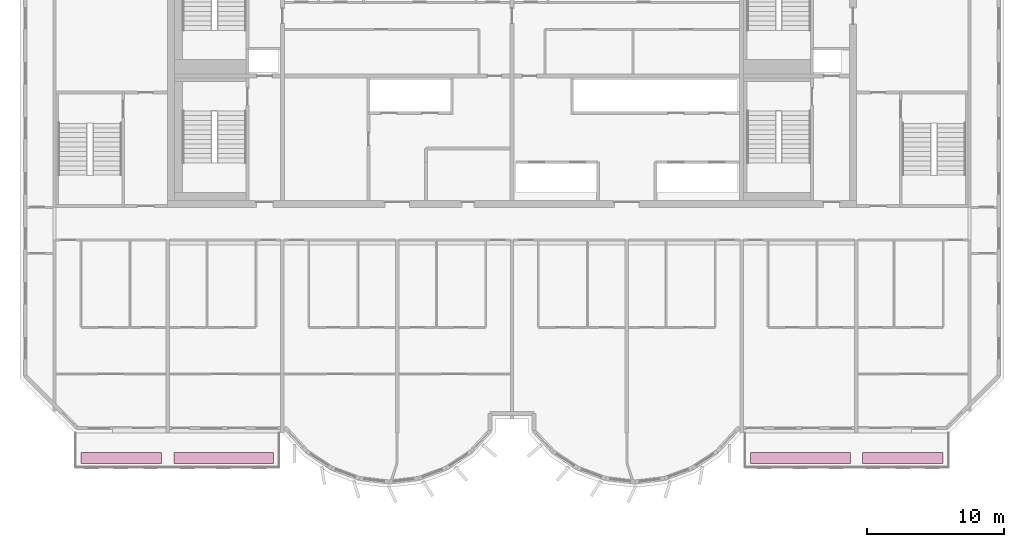
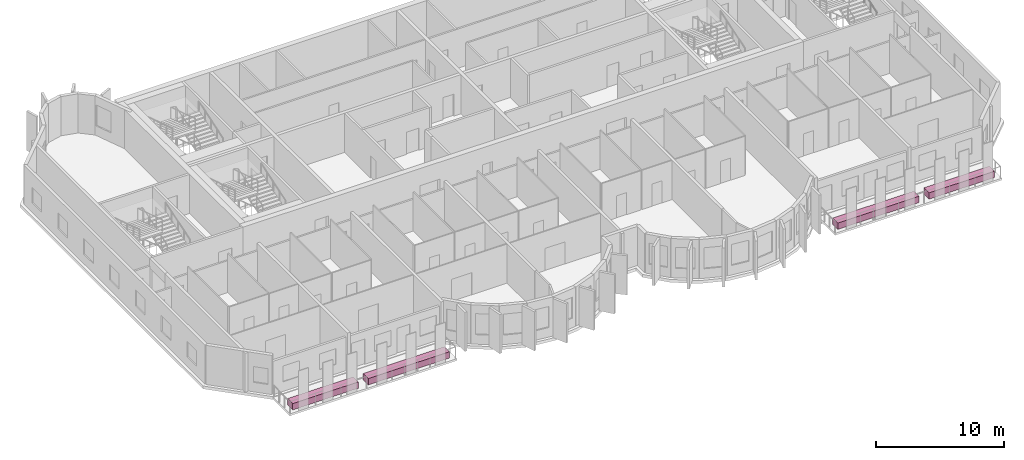
# One storey, part 12 of 12: 4 furniture elements.
"""IFC4 building model written with IfcOpenShell, lengths in metres."""

from ifc_helpers import new_model, si_unit, direction, frame, origin, origin_2d, place, context, subcontext, project, spatial, rectangle, extrude, source, transform, mapped, material, type_object, element, save


model = new_model("IFC4")

# Units and contexts
model_context = context("Model", 3, precision=1e-05, world=origin(), true_north=direction((0.0, 1.0)))
body_context = subcontext(model_context, "Body", "Model", "MODEL_VIEW")
ifc_project = project(units=[si_unit("LENGTHUNIT", "METRE"), si_unit("AREAUNIT", "SQUARE_METRE"), si_unit("VOLUMEUNIT", "CUBIC_METRE"), si_unit("PLANEANGLEUNIT", "RADIAN"), si_unit("MASSUNIT", "GRAM", prefix="KILO")], contexts=[model_context])

# Site, building, storey
site_placement = place(None, origin())
site = spatial("IfcSite", under=ifc_project, at=site_placement, CompositionType="ELEMENT")
building_placement = place(site_placement, origin())
building = spatial("IfcBuilding", under=site, at=building_placement, Name="Vanashikhar Sky Hotel", CompositionType="ELEMENT")
storey_placement = place(building_placement, frame((0.0, 0.0, 285.699951171875)))
storey = spatial("IfcBuildingStorey", under=building, at=storey_placement, Name="L68", CompositionType="ELEMENT", Elevation=285.699951171875)

# Furniture
ifc_material = material(Name="Planting soil and shrubs")
furniture_type = type_object("IfcFurnitureType", Name="Planter trough", AssemblyPlace="NOTDEFINED", PredefinedType="USERDEFINED", material=ifc_material)
shared_shape_1 = source(origin(), body_context, "Body", "SweptSolid", [
    extrude(rectangle(XDim=7.300048828125, YDim=0.800048828125, at=origin_2d()), origin(), (0.0, 0.0, 1.0), 0.60009765625),
])
for number, where, z_axis, x_axis, name in (
    (1, (29.300048828125, 3.64990234375, -0.050048828125), (0.0, 0.0, 1.0), (1.0, 0.0, 0.0), "PLANTER with climbers"),
    (2, (71.5, 3.64990234375, -0.050048828125), (0.0, 0.0, 1.0), (1.0, 0.0, 0.0), "PLANTER with climbers"),
):
    element("IfcFurniture", number, at=place(storey_placement, frame(where, z_axis=z_axis, x_axis=x_axis)), inside=storey, type_object=furniture_type, Name=name, ObjectType="PLANTER", PredefinedType="USERDEFINED", context=body_context, shape_type="MappedRepresentation", body=[
        mapped(shared_shape_1, transform((0.0, 0.0, 0.0), scale=1.0)),
    ])
shared_shape_2 = source(origin(), body_context, "Body", "SweptSolid", [
    extrude(rectangle(XDim=5.89990234375, YDim=0.800048828125, at=origin_2d()), origin(), (0.0, 0.0, 1.0), 0.60009765625),
])
for number, where, z_axis, x_axis, name in (
    (3, (21.800048828125, 3.64990234375, -0.050048828125), (0.0, 0.0, 1.0), (1.0, 0.0, 0.0), "PLANTER with climbers"),
    (4, (79.0, 3.64990234375, -0.050048828125), (0.0, 0.0, 1.0), (1.0, 0.0, 0.0), "PLANTER with climbers"),
):
    element("IfcFurniture", number, at=place(storey_placement, frame(where, z_axis=z_axis, x_axis=x_axis)), inside=storey, type_object=furniture_type, Name=name, ObjectType="PLANTER", PredefinedType="USERDEFINED", context=body_context, shape_type="MappedRepresentation", body=[
        mapped(shared_shape_2, transform((0.0, 0.0, 0.0), scale=1.0)),
    ])

save(model, "model.ifc")
